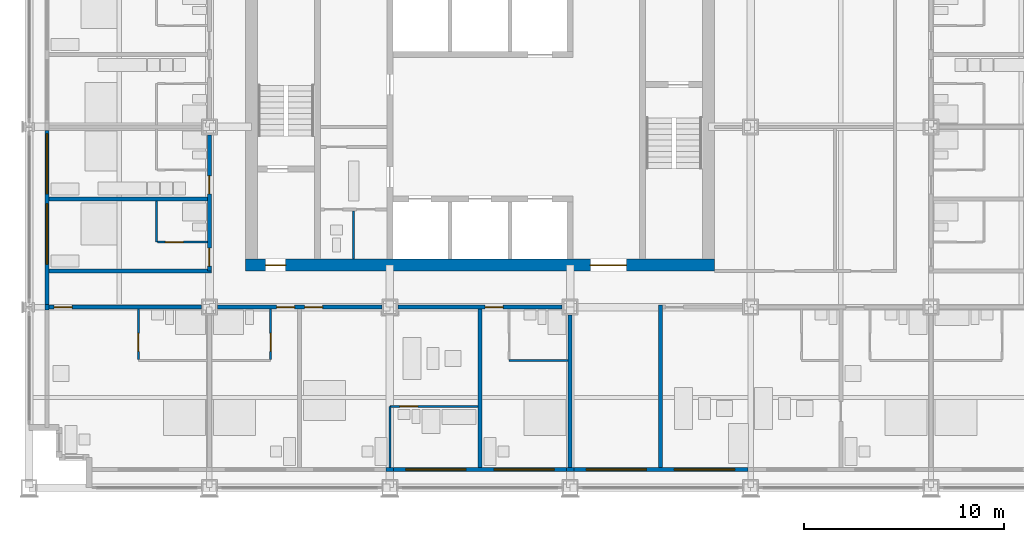
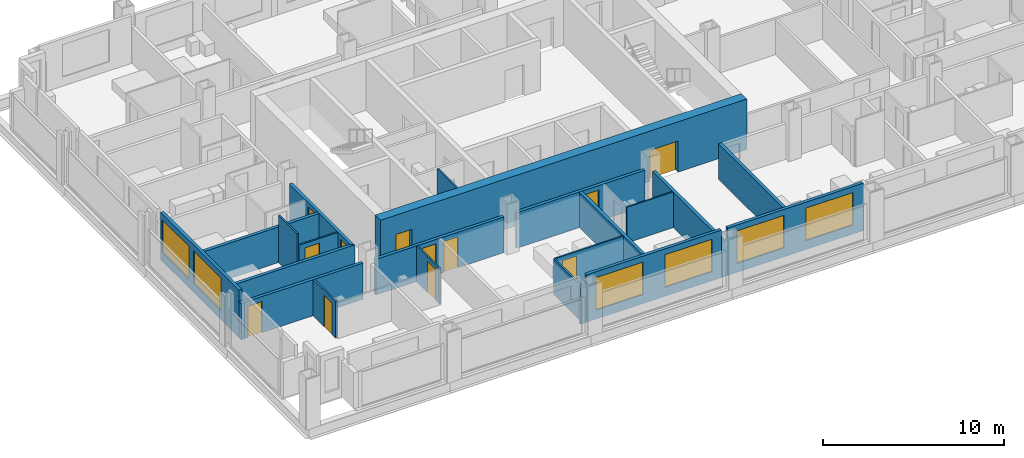
# One storey, part 10 of 18: 24 walls, 12 doors, 6 windows, 18 openings.
"""IFC4 building model written with IfcOpenShell, lengths in metres."""

from ifc_helpers import new_model, si_unit, direction, frame, frame_2d, origin, place, context, subcontext, project, spatial, rectangle, extrude, material, layer, layer_set, type_object, element, fill, save


model = new_model("IFC4")

# Units and contexts
model_context = context("Model", 3, precision=1e-05, world=origin(), true_north=direction((0.0, 1.0)))
body_context = subcontext(model_context, "Body", "Model", "MODEL_VIEW")
ifc_project = project(units=[si_unit("LENGTHUNIT", "METRE"), si_unit("AREAUNIT", "SQUARE_METRE"), si_unit("VOLUMEUNIT", "CUBIC_METRE"), si_unit("PLANEANGLEUNIT", "RADIAN"), si_unit("MASSUNIT", "GRAM", prefix="KILO")], contexts=[model_context])

# Site, building, storey
site_placement = place(None, origin())
site = spatial("IfcSite", under=ifc_project, at=site_placement, CompositionType="ELEMENT")
building_placement = place(site_placement, origin())
building = spatial("IfcBuilding", under=site, at=building_placement, Name="Loomwork Tower", CompositionType="ELEMENT")
storey_placement = place(building_placement, frame((0.0, 0.0, 58.60009765625)))
storey = spatial("IfcBuildingStorey", under=building, at=storey_placement, Name="L14", CompositionType="ELEMENT", Elevation=58.60009765625)

# Wall, openings, doors
ifc_material_1 = material(Name="Concrete 14000 psi (97 MPa)", Category="concrete")
ifc_layer_1 = layer(ifc_material_1, 0.60009765625)
ifc_layer_set_1 = layer_set([ifc_layer_1], Name="Core shear wall 600")
wall_type_1 = type_object("IfcWallType", Name="Core shear wall 600", PredefinedType="SHEAR", material=ifc_layer_set_1)
wall_1_placement = place(storey_placement, frame((10.800048828125, 11.10009765625, 0.0), z_axis=(0.0, 0.0, 1.0), x_axis=(1.0, 0.0, 0.0)))
wall_1 = element("IfcWall", 1, at=wall_1_placement, inside=storey, type_object=wall_type_1, Name="Core wall south L14", PredefinedType="SHEAR", context=body_context, shape_type="SweptSolid", body=[
    extrude(rectangle(XDim=23.39990234375, YDim=0.60009765625, at=frame_2d((11.699951171875, 0.0))), origin(), (0.0, 0.0, 1.0), 3.39990234375),
])
opening_1_placement = place(wall_1_placement, frame((1.0, 0.0, 0.0)))
opening_1 = element("IfcOpeningElement", 2, at=opening_1_placement, cuts=wall_1, Name="Opening D4", PredefinedType="OPENING", context=body_context, shape_type="SweptSolid", body=[
    extrude(rectangle(XDim=1.0, YDim=2.10009765625, at=frame_2d((0.5, 1.050048828125))), frame((0.0, 0.31005859375, 0.0), z_axis=(0.0, -1.0, 0.0), x_axis=(1.0, 0.0, 0.0)), (0.0, 0.0, 1.0), 0.6201171875),
])
opening_2_placement = place(wall_1_placement, frame((17.199951171875, 0.0, 0.0)))
opening_2 = element("IfcOpeningElement", 3, at=opening_2_placement, cuts=wall_1, Name="Opening D6", PredefinedType="OPENING", context=body_context, shape_type="SweptSolid", body=[
    extrude(rectangle(XDim=1.800048828125, YDim=2.10009765625, at=frame_2d((0.89990234375, 1.050048828125))), frame((0.0, 0.31005859375, 0.0), z_axis=(0.0, -1.0, 0.0), x_axis=(1.0, 0.0, 0.0)), (0.0, 0.0, 1.0), 0.6201171875),
])
ifc_material_2 = material(Name="Hollow metal door and frame")
door_type_1 = type_object("IfcDoorType", Name="Lobby passage double door 1800", OperationType="DOUBLE_DOOR_SINGLE_SWING", PredefinedType="DOOR", material=ifc_material_2)
door_1_placement = place(opening_2_placement, origin())
door_1 = element("IfcDoor", 4, at=door_1_placement, inside=storey, type_object=door_type_1, Name="Lobby passage door south", OperationType="DOUBLE_DOOR_SINGLE_SWING", OverallHeight=2.10009765625, OverallWidth=1.800048828125, PredefinedType="DOOR", context=body_context, shape_type="SweptSolid", body=[
    extrude(rectangle(XDim=1.800048828125, YDim=2.10009765625, at=frame_2d((0.89990234375, 1.050048828125))), frame((0.0, 0.02490234375, 0.0), z_axis=(0.0, -1.0, 0.0), x_axis=(1.0, 0.0, 0.0)), (0.0, 0.0, 1.0), 0.050048828125),
])
fill(opening_2, door_1)
ifc_material_3 = material(Name="Hollow metal door and frame")
door_type_2 = type_object("IfcDoorType", Name="Stair door 1000", OperationType="SINGLE_SWING_RIGHT", PredefinedType="DOOR", material=ifc_material_3)
door_2_placement = place(opening_1_placement, origin())
door_2 = element("IfcDoor", 5, at=door_2_placement, inside=storey, type_object=door_type_2, Name="Stair A vestibule door", OperationType="SINGLE_SWING_LEFT", OverallHeight=2.10009765625, OverallWidth=1.0, PredefinedType="DOOR", context=body_context, shape_type="SweptSolid", body=[
    extrude(rectangle(XDim=1.0, YDim=2.10009765625, at=frame_2d((0.5, 1.050048828125))), frame((0.0, 0.02490234375, 0.0), z_axis=(0.0, -1.0, 0.0), x_axis=(1.0, 0.0, 0.0)), (0.0, 0.0, 1.0), 0.050048828125),
])
fill(opening_1, door_2)

# Wall, opening, door
ifc_material_4 = material(Name="Gypsum board on steel studs, one-hour", Category="steel")
ifc_layer_2 = layer(ifc_material_4, 0.199951171875)
ifc_layer_set_2 = layer_set([ifc_layer_2], Name="Corridor wall 200")
wall_type_2 = type_object("IfcWallType", Name="Corridor wall 200", PredefinedType="PARTITIONING", material=ifc_layer_set_2)
wall_2_placement = place(storey_placement, frame((1.0, 9.0, 0.0), z_axis=(0.0, 0.0, 1.0), x_axis=(1.0, 0.0, 0.0)))
wall_2 = element("IfcWall", 6, at=wall_2_placement, inside=storey, type_object=wall_type_2, Name="South corridor wall 1", PredefinedType="PARTITIONING", context=body_context, shape_type="SweptSolid", body=[
    extrude(rectangle(XDim=7.60009765625, YDim=0.199951171875, at=frame_2d((3.800048828125, 0.0))), origin(), (0.0, 0.0, 1.0), 2.43798828125),
])
opening_3_placement = place(wall_2_placement, frame((0.25, 0.0, 0.0)))
opening_3 = element("IfcOpeningElement", 7, at=opening_3_placement, cuts=wall_2, Name="Opening D1", PredefinedType="OPENING", context=body_context, shape_type="SweptSolid", body=[
    extrude(rectangle(XDim=0.89990234375, YDim=2.10009765625, at=frame_2d((0.449951171875, 1.050048828125))), frame((0.0, 0.10986328125, 0.0), z_axis=(0.0, -1.0, 0.0), x_axis=(1.0, 0.0, 0.0)), (0.0, 0.0, 1.0), 0.219970703125),
])
ifc_material_5 = material(Name="Hollow metal door and frame")
door_type_3 = type_object("IfcDoorType", Name="Guest room entry door 900", OperationType="SINGLE_SWING_LEFT", PredefinedType="DOOR", material=ifc_material_5)
door_3_placement = place(opening_3_placement, frame((0.89990234375, 0.0, 0.0), z_axis=(0.0, 0.0, 1.0), x_axis=(-1.0, 0.0, 0.0)))
door_3 = element("IfcDoor", 8, at=door_3_placement, inside=storey, type_object=door_type_3, Name="Guest room entry door L14 1", OperationType="SINGLE_SWING_RIGHT", OverallHeight=2.10009765625, OverallWidth=0.89990234375, PredefinedType="DOOR", context=body_context, shape_type="SweptSolid", body=[
    extrude(rectangle(XDim=0.89990234375, YDim=2.10009765625, at=frame_2d((0.449951171875, 1.050048828125))), frame((0.0, 0.02490234375, 0.0), z_axis=(0.0, -1.0, 0.0), x_axis=(1.0, 0.0, 0.0)), (0.0, 0.0, 1.0), 0.050048828125),
])
fill(opening_3, door_3)

# Wall, openings, doors
wall_3_placement = place(storey_placement, frame((9.39990234375, 9.0, 0.0), z_axis=(0.0, 0.0, 1.0), x_axis=(1.0, 0.0, 0.0)))
wall_3 = element("IfcWall", 9, at=wall_3_placement, inside=storey, type_object=wall_type_2, Name="South corridor wall 2", PredefinedType="PARTITIONING", context=body_context, shape_type="SweptSolid", body=[
    extrude(rectangle(XDim=8.2001953125, YDim=0.199951171875, at=frame_2d((4.10009765625, 0.0))), origin(), (0.0, 0.0, 1.0), 2.40478515625),
])
opening_4_placement = place(wall_3_placement, frame((2.949951171875, 0.0, 0.0)))
opening_4 = element("IfcOpeningElement", 10, at=opening_4_placement, cuts=wall_3, Name="Opening D1", PredefinedType="OPENING", context=body_context, shape_type="SweptSolid", body=[
    extrude(rectangle(XDim=0.89990234375, YDim=2.10009765625, at=frame_2d((0.449951171875, 1.050048828125))), frame((0.0, 0.10986328125, 0.0), z_axis=(0.0, -1.0, 0.0), x_axis=(1.0, 0.0, 0.0)), (0.0, 0.0, 1.0), 0.219970703125),
])
opening_5_placement = place(wall_3_placement, frame((4.35009765625, 0.0, 0.0)))
opening_5 = element("IfcOpeningElement", 11, at=opening_5_placement, cuts=wall_3, Name="Opening D1", PredefinedType="OPENING", context=body_context, shape_type="SweptSolid", body=[
    extrude(rectangle(XDim=0.89990234375, YDim=2.10009765625, at=frame_2d((0.449951171875, 1.050048828125))), frame((0.0, 0.10986328125, 0.0), z_axis=(0.0, -1.0, 0.0), x_axis=(1.0, 0.0, 0.0)), (0.0, 0.0, 1.0), 0.219970703125),
])
door_4_placement = place(opening_4_placement, frame((0.89990234375, 0.0, 0.0), z_axis=(0.0, 0.0, 1.0), x_axis=(-1.0, 0.0, 0.0)))
door_4 = element("IfcDoor", 12, at=door_4_placement, inside=storey, type_object=door_type_3, Name="Guest room entry door L14 2", OperationType="SINGLE_SWING_LEFT", OverallHeight=2.10009765625, OverallWidth=0.89990234375, PredefinedType="DOOR", context=body_context, shape_type="SweptSolid", body=[
    extrude(rectangle(XDim=0.89990234375, YDim=2.10009765625, at=frame_2d((0.449951171875, 1.050048828125))), frame((0.0, 0.02490234375, 0.0), z_axis=(0.0, -1.0, 0.0), x_axis=(1.0, 0.0, 0.0)), (0.0, 0.0, 1.0), 0.050048828125),
])
fill(opening_4, door_4)
door_5_placement = place(opening_5_placement, frame((0.89990234375, 0.0, 0.0), z_axis=(0.0, 0.0, 1.0), x_axis=(-1.0, 0.0, 0.0)))
door_5 = element("IfcDoor", 13, at=door_5_placement, inside=storey, type_object=door_type_3, Name="Guest room entry door L14 3", OperationType="SINGLE_SWING_RIGHT", OverallHeight=2.10009765625, OverallWidth=0.89990234375, PredefinedType="DOOR", context=body_context, shape_type="SweptSolid", body=[
    extrude(rectangle(XDim=0.89990234375, YDim=2.10009765625, at=frame_2d((0.449951171875, 1.050048828125))), frame((0.0, 0.02490234375, 0.0), z_axis=(0.0, -1.0, 0.0), x_axis=(1.0, 0.0, 0.0)), (0.0, 0.0, 1.0), 0.050048828125),
])
fill(opening_5, door_5)

# Wall, opening, door
wall_4_placement = place(storey_placement, frame((18.39990234375, 9.0, 0.0), z_axis=(0.0, 0.0, 1.0), x_axis=(1.0, 0.0, 0.0)))
wall_4 = element("IfcWall", 14, at=wall_4_placement, inside=storey, type_object=wall_type_2, Name="South corridor wall 3", PredefinedType="PARTITIONING", context=body_context, shape_type="SweptSolid", body=[
    extrude(rectangle(XDim=8.2001953125, YDim=0.199951171875, at=frame_2d((4.10009765625, 0.0))), origin(), (0.0, 0.0, 1.0), 2.40478515625),
])
opening_6_placement = place(wall_4_placement, frame((4.35009765625, 0.0, 0.0)))
opening_6 = element("IfcOpeningElement", 15, at=opening_6_placement, cuts=wall_4, Name="Opening D1", PredefinedType="OPENING", context=body_context, shape_type="SweptSolid", body=[
    extrude(rectangle(XDim=0.89990234375, YDim=2.10009765625, at=frame_2d((0.449951171875, 1.050048828125))), frame((0.0, 0.10986328125, 0.0), z_axis=(0.0, -1.0, 0.0), x_axis=(1.0, 0.0, 0.0)), (0.0, 0.0, 1.0), 0.219970703125),
])
door_6_placement = place(opening_6_placement, frame((0.89990234375, 0.0, 0.0), z_axis=(0.0, 0.0, 1.0), x_axis=(-1.0, 0.0, 0.0)))
door_6 = element("IfcDoor", 16, at=door_6_placement, inside=storey, type_object=door_type_3, Name="Guest room entry door L14 4", OperationType="SINGLE_SWING_RIGHT", OverallHeight=2.10009765625, OverallWidth=0.89990234375, PredefinedType="DOOR", context=body_context, shape_type="SweptSolid", body=[
    extrude(rectangle(XDim=0.89990234375, YDim=2.10009765625, at=frame_2d((0.449951171875, 1.050048828125))), frame((0.0, 0.02490234375, 0.0), z_axis=(0.0, -1.0, 0.0), x_axis=(1.0, 0.0, 0.0)), (0.0, 0.0, 1.0), 0.050048828125),
])
fill(opening_6, door_6)

# Wall, openings, doors
wall_5_placement = place(storey_placement, frame((9.0, 10.800048828125, 0.0), z_axis=(0.0, 0.0, 1.0), x_axis=(0.0, 1.0, 0.0)))
wall_5 = element("IfcWall", 17, at=wall_5_placement, inside=storey, type_object=wall_type_2, Name="West corridor wall 1", PredefinedType="PARTITIONING", context=body_context, shape_type="SweptSolid", body=[
    extrude(rectangle(XDim=6.800048828125, YDim=0.199951171875, at=frame_2d((3.39990234375, 0.0))), origin(), (0.0, 0.0, 1.0), 2.40478515625),
])
opening_7_placement = place(wall_5_placement, frame((0.25, 0.0, 0.0)))
opening_7 = element("IfcOpeningElement", 18, at=opening_7_placement, cuts=wall_5, Name="Opening D1", PredefinedType="OPENING", context=body_context, shape_type="SweptSolid", body=[
    extrude(rectangle(XDim=0.89990234375, YDim=2.10009765625, at=frame_2d((0.449951171875, 1.050048828125))), frame((0.0, 0.10986328125, 0.0), z_axis=(0.0, -1.0, 0.0), x_axis=(1.0, 0.0, 0.0)), (0.0, 0.0, 1.0), 0.219970703125),
])
opening_8_placement = place(wall_5_placement, frame((3.85009765625, 0.0, 0.0)))
opening_8 = element("IfcOpeningElement", 19, at=opening_8_placement, cuts=wall_5, Name="Opening D1", PredefinedType="OPENING", context=body_context, shape_type="SweptSolid", body=[
    extrude(rectangle(XDim=0.89990234375, YDim=2.10009765625, at=frame_2d((0.449951171875, 1.050048828125))), frame((0.0, 0.10986328125, 0.0), z_axis=(0.0, -1.0, 0.0), x_axis=(1.0, 0.0, 0.0)), (0.0, 0.0, 1.0), 0.219970703125),
])
door_7_placement = place(opening_7_placement, origin())
door_7 = element("IfcDoor", 20, at=door_7_placement, inside=storey, type_object=door_type_3, Name="Guest room entry door L14 15", OperationType="SINGLE_SWING_LEFT", OverallHeight=2.10009765625, OverallWidth=0.89990234375, PredefinedType="DOOR", context=body_context, shape_type="SweptSolid", body=[
    extrude(rectangle(XDim=0.89990234375, YDim=2.10009765625, at=frame_2d((0.449951171875, 1.050048828125))), frame((0.0, 0.02490234375, 0.0), z_axis=(0.0, -1.0, 0.0), x_axis=(1.0, 0.0, 0.0)), (0.0, 0.0, 1.0), 0.050048828125),
])
fill(opening_7, door_7)
door_8_placement = place(opening_8_placement, origin())
door_8 = element("IfcDoor", 21, at=door_8_placement, inside=storey, type_object=door_type_3, Name="Guest room entry door L14 16", OperationType="SINGLE_SWING_LEFT", OverallHeight=2.10009765625, OverallWidth=0.89990234375, PredefinedType="DOOR", context=body_context, shape_type="SweptSolid", body=[
    extrude(rectangle(XDim=0.89990234375, YDim=2.10009765625, at=frame_2d((0.449951171875, 1.050048828125))), frame((0.0, 0.02490234375, 0.0), z_axis=(0.0, -1.0, 0.0), x_axis=(1.0, 0.0, 0.0)), (0.0, 0.0, 1.0), 0.050048828125),
])
fill(opening_8, door_8)

# Wall
wall_6_placement = place(storey_placement, frame((1.0, 10.800048828125, 0.0), z_axis=(0.0, 0.0, 1.0), x_axis=(1.0, 0.0, 0.0)))
element("IfcWall", 22, at=wall_6_placement, inside=storey, type_object=wall_type_2, Name="West band end wall S", PredefinedType="PARTITIONING", context=body_context, shape_type="SweptSolid", body=[
    extrude(rectangle(XDim=8.10009765625, YDim=0.199951171875, at=frame_2d((4.050048828125, 0.0))), origin(), (0.0, 0.0, 1.0), 2.40380859375),
])

# Wall, opening, door
ifc_material_6 = material(Name="Cement board on steel studs", Category="steel")
ifc_layer_3 = layer(ifc_material_6, 0.10009765625)
ifc_layer_set_3 = layer_set([ifc_layer_3], Name="En-suite partition 100")
wall_type_3 = type_object("IfcWallType", Name="En-suite partition 100", PredefinedType="PARTITIONING", material=ifc_layer_set_3)
wall_7_placement = place(storey_placement, frame((5.449951171875, 8.89990234375, 0.0), z_axis=(0.0, 0.0, 1.0), x_axis=(0.0, -1.0, 0.0)))
wall_7 = element("IfcWall", 23, at=wall_7_placement, inside=storey, type_object=wall_type_3, Name="En-suite side wall L14 room 1", PredefinedType="PARTITIONING", context=body_context, shape_type="SweptSolid", body=[
    extrude(rectangle(XDim=2.5, YDim=0.10009765625, at=frame_2d((1.25, 0.0))), origin(), (0.0, 0.0, 1.0), 2.43798828125),
])
opening_9_placement = place(wall_7_placement, frame((1.199951171875, 0.0, 0.0)))
opening_9 = element("IfcOpeningElement", 24, at=opening_9_placement, cuts=wall_7, Name="Opening D3", PredefinedType="OPENING", context=body_context, shape_type="SweptSolid", body=[
    extrude(rectangle(XDim=0.89990234375, YDim=2.10009765625, at=frame_2d((0.449951171875, 1.050048828125))), frame((0.0, 0.06005859375, 0.0), z_axis=(0.0, -1.0, 0.0), x_axis=(1.0, 0.0, 0.0)), (0.0, 0.0, 1.0), 0.1201171875),
])
ifc_material_7 = material(Name="Hollow metal door and frame")
door_type_4 = type_object("IfcDoorType", Name="Accessible en-suite door 900", OperationType="SLIDING_TO_LEFT", PredefinedType="DOOR", material=ifc_material_7)
door_9_placement = place(opening_9_placement, origin())
door_9 = element("IfcDoor", 25, at=door_9_placement, inside=storey, type_object=door_type_4, Name="Accessible en-suite door room 1", OperationType="SLIDING_TO_LEFT", OverallHeight=2.10009765625, OverallWidth=0.89990234375, PredefinedType="DOOR", context=body_context, shape_type="SweptSolid", body=[
    extrude(rectangle(XDim=0.89990234375, YDim=2.10009765625, at=frame_2d((0.449951171875, 1.050048828125))), frame((0.0, 0.02490234375, 0.0), z_axis=(0.0, -1.0, 0.0), x_axis=(1.0, 0.0, 0.0)), (0.0, 0.0, 1.0), 0.050048828125),
])
fill(opening_9, door_9)

wall_8_placement = place(storey_placement, frame((12.050048828125, 8.89990234375, 0.0), z_axis=(0.0, 0.0, 1.0), x_axis=(0.0, -1.0, 0.0)))
wall_8 = element("IfcWall", 26, at=wall_8_placement, inside=storey, type_object=wall_type_3, Name="En-suite side wall L14 room 2", PredefinedType="PARTITIONING", context=body_context, shape_type="SweptSolid", body=[
    extrude(rectangle(XDim=2.5, YDim=0.10009765625, at=frame_2d((1.25, 0.0))), origin(), (0.0, 0.0, 1.0), 2.40380859375),
])
opening_10_placement = place(wall_8_placement, frame((1.199951171875, 0.0, 0.0)))
opening_10 = element("IfcOpeningElement", 27, at=opening_10_placement, cuts=wall_8, Name="Opening D3", PredefinedType="OPENING", context=body_context, shape_type="SweptSolid", body=[
    extrude(rectangle(XDim=0.89990234375, YDim=2.10009765625, at=frame_2d((0.449951171875, 1.050048828125))), frame((0.0, 0.06005859375, 0.0), z_axis=(0.0, -1.0, 0.0), x_axis=(1.0, 0.0, 0.0)), (0.0, 0.0, 1.0), 0.1201171875),
])
door_10_placement = place(opening_10_placement, origin())
door_10 = element("IfcDoor", 28, at=door_10_placement, inside=storey, type_object=door_type_4, Name="Accessible en-suite door room 2", OperationType="SLIDING_TO_LEFT", OverallHeight=2.10009765625, OverallWidth=0.89990234375, PredefinedType="DOOR", context=body_context, shape_type="SweptSolid", body=[
    extrude(rectangle(XDim=0.89990234375, YDim=2.10009765625, at=frame_2d((0.449951171875, 1.050048828125))), frame((0.0, 0.02490234375, 0.0), z_axis=(0.0, -1.0, 0.0), x_axis=(1.0, 0.0, 0.0)), (0.0, 0.0, 1.0), 0.050048828125),
])
fill(opening_10, door_10)

wall_9_placement = place(storey_placement, frame((18.0, 4.050048828125, 0.0), z_axis=(0.0, 0.0, 1.0), x_axis=(1.0, 0.0, 0.0)))
wall_9 = element("IfcWall", 29, at=wall_9_placement, inside=storey, type_object=wall_type_3, Name="Spa bathroom wall L14 room 3", PredefinedType="PARTITIONING", context=body_context, shape_type="SweptSolid", body=[
    extrude(rectangle(XDim=4.39990234375, YDim=0.10009765625, at=frame_2d((2.199951171875, 0.0))), origin(), (0.0, 0.0, 1.0), 2.40380859375),
])
opening_11_placement = place(wall_9_placement, frame((0.5, 0.0, 0.0)))
opening_11 = element("IfcOpeningElement", 30, at=opening_11_placement, cuts=wall_9, Name="Opening D2", PredefinedType="OPENING", context=body_context, shape_type="SweptSolid", body=[
    extrude(rectangle(XDim=0.89990234375, YDim=2.10009765625, at=frame_2d((0.449951171875, 1.050048828125))), frame((0.0, 0.06005859375, 0.0), z_axis=(0.0, -1.0, 0.0), x_axis=(1.0, 0.0, 0.0)), (0.0, 0.0, 1.0), 0.1201171875),
])
ifc_material_8 = material(Name="Hollow metal door and frame")
door_type_5 = type_object("IfcDoorType", Name="En-suite door 900", OperationType="SINGLE_SWING_LEFT", PredefinedType="DOOR", material=ifc_material_8)
door_11_placement = place(opening_11_placement, frame((0.89990234375, 0.0, 0.0), z_axis=(0.0, 0.0, 1.0), x_axis=(-1.0, 0.0, 0.0)))
door_11 = element("IfcDoor", 31, at=door_11_placement, inside=storey, type_object=door_type_5, Name="Spa bathroom door room 3", OperationType="SINGLE_SWING_RIGHT", OverallHeight=2.10009765625, OverallWidth=0.89990234375, PredefinedType="DOOR", context=body_context, shape_type="SweptSolid", body=[
    extrude(rectangle(XDim=0.89990234375, YDim=2.10009765625, at=frame_2d((0.449951171875, 1.050048828125))), frame((0.0, 0.02490234375, 0.0), z_axis=(0.0, -1.0, 0.0), x_axis=(1.0, 0.0, 0.0)), (0.0, 0.0, 1.0), 0.050048828125),
])
fill(opening_11, door_11)

# Walls
wall_10_placement = place(storey_placement, frame((18.0, 4.050048828125, 0.0), z_axis=(0.0, 0.0, 1.0), x_axis=(0.0, -1.0, 0.0)))
element("IfcWall", 32, at=wall_10_placement, inside=storey, type_object=wall_type_3, Name="Spa bathroom side wall L14 room 3", PredefinedType="PARTITIONING", context=body_context, shape_type="SweptSolid", body=[
    extrude(rectangle(XDim=3.050048828125, YDim=0.10009765625, at=frame_2d((1.52490234375, 0.0))), origin(), (0.0, 0.0, 1.0), 2.40478515625),
])
wall_11_placement = place(storey_placement, frame((23.949951171875, 6.35009765625, 0.0), z_axis=(0.0, 0.0, 1.0), x_axis=(1.0, 0.0, 0.0)))
element("IfcWall", 33, at=wall_11_placement, inside=storey, type_object=wall_type_3, Name="En-suite wall L14 room 4", PredefinedType="PARTITIONING", context=body_context, shape_type="SweptSolid", body=[
    extrude(rectangle(XDim=2.949951171875, YDim=0.10009765625, at=frame_2d((1.47509765625, 0.0))), origin(), (0.0, 0.0, 1.0), 2.40380859375),
])
wall_12_placement = place(storey_placement, frame((6.35009765625, 12.25, 0.0), z_axis=(0.0, 0.0, 1.0), x_axis=(0.0, 1.0, 0.0)))
element("IfcWall", 34, at=wall_12_placement, inside=storey, type_object=wall_type_3, Name="En-suite wall L14 room 15", PredefinedType="PARTITIONING", context=body_context, shape_type="SweptSolid", body=[
    extrude(rectangle(XDim=2.050048828125, YDim=0.10009765625, at=frame_2d((1.02490234375, 0.0))), origin(), (0.0, 0.0, 1.0), 3.199951171875),
])

# Wall, opening, door
wall_13_placement = place(storey_placement, frame((8.89990234375, 12.25, 0.0), z_axis=(0.0, 0.0, 1.0), x_axis=(-1.0, 0.0, 0.0)))
wall_13 = element("IfcWall", 35, at=wall_13_placement, inside=storey, type_object=wall_type_3, Name="En-suite side wall L14 room 15", PredefinedType="PARTITIONING", context=body_context, shape_type="SweptSolid", body=[
    extrude(rectangle(XDim=2.5, YDim=0.10009765625, at=frame_2d((1.25, 0.0))), origin(), (0.0, 0.0, 1.0), 2.40380859375),
])
opening_12_placement = place(wall_13_placement, frame((1.199951171875, 0.0, 0.0)))
opening_12 = element("IfcOpeningElement", 36, at=opening_12_placement, cuts=wall_13, Name="Opening D2", PredefinedType="OPENING", context=body_context, shape_type="SweptSolid", body=[
    extrude(rectangle(XDim=0.89990234375, YDim=2.10009765625, at=frame_2d((0.449951171875, 1.050048828125))), frame((0.0, 0.06005859375, 0.0), z_axis=(0.0, -1.0, 0.0), x_axis=(1.0, 0.0, 0.0)), (0.0, 0.0, 1.0), 0.1201171875),
])
door_12_placement = place(opening_12_placement, frame((0.89990234375, 0.0, 0.0), z_axis=(0.0, 0.0, 1.0), x_axis=(-1.0, 0.0, 0.0)))
door_12 = element("IfcDoor", 37, at=door_12_placement, inside=storey, type_object=door_type_5, Name="En-suite door room 15", OperationType="SINGLE_SWING_LEFT", OverallHeight=2.10009765625, OverallWidth=0.89990234375, PredefinedType="DOOR", context=body_context, shape_type="SweptSolid", body=[
    extrude(rectangle(XDim=0.89990234375, YDim=2.10009765625, at=frame_2d((0.449951171875, 1.050048828125))), frame((0.0, 0.02490234375, 0.0), z_axis=(0.0, -1.0, 0.0), x_axis=(1.0, 0.0, 0.0)), (0.0, 0.0, 1.0), 0.050048828125),
])
fill(opening_12, door_12)

# Walls
wall_14_placement = place(storey_placement, frame((16.199951171875, 11.39990234375, 0.0), z_axis=(0.0, 0.0, 1.0), x_axis=(0.0, 1.0, 0.0)))
element("IfcWall", 38, at=wall_14_placement, inside=storey, type_object=wall_type_3, Name="Back-of-house partition L14 2", PredefinedType="PARTITIONING", context=body_context, shape_type="SweptSolid", body=[
    extrude(rectangle(XDim=2.400146484375, YDim=0.10009765625, at=frame_2d((1.2001953125, 0.0))), origin(), (0.0, 0.0, 1.0), 3.199951171875),
])
ifc_material_9 = material(Name="Gypsum board on steel studs, acoustic", Category="steel")
ifc_layer_4 = layer(ifc_material_9, 0.199951171875)
ifc_layer_set_4 = layer_set([ifc_layer_4], Name="Guest room party wall 200")
wall_type_4 = type_object("IfcWallType", Name="Guest room party wall 200", PredefinedType="PARTITIONING", material=ifc_layer_set_4)
wall_15_placement = place(storey_placement, frame((22.5, 8.89990234375, 0.0), z_axis=(0.0, 0.0, 1.0), x_axis=(0.0, -1.0, 0.0)))
element("IfcWall", 39, at=wall_15_placement, inside=storey, type_object=wall_type_4, Name="Guest room party wall S 22.5", PredefinedType="PARTITIONING", context=body_context, shape_type="SweptSolid", body=[
    extrude(rectangle(XDim=7.89990234375, YDim=0.199951171875, at=frame_2d((3.949951171875, 0.0))), origin(), (0.0, 0.0, 1.0), 2.40380859375),
])
wall_16_placement = place(storey_placement, frame((27.0, 8.60009765625, 0.0), z_axis=(0.0, 0.0, 1.0), x_axis=(0.0, -1.0, 0.0)))
element("IfcWall", 40, at=wall_16_placement, inside=storey, type_object=wall_type_4, Name="Guest room party wall S 27", PredefinedType="PARTITIONING", context=body_context, shape_type="SweptSolid", body=[
    extrude(rectangle(XDim=7.60009765625, YDim=0.199951171875, at=frame_2d((3.800048828125, 0.0))), origin(), (0.0, 0.0, 1.0), 2.40478515625),
])
wall_17_placement = place(storey_placement, frame((31.5, 9.10009765625, 0.0), z_axis=(0.0, 0.0, 1.0), x_axis=(0.0, -1.0, 0.0)))
element("IfcWall", 41, at=wall_17_placement, inside=storey, type_object=wall_type_4, Name="Guest room party wall S 31.5", PredefinedType="PARTITIONING", context=body_context, shape_type="SweptSolid", body=[
    extrude(rectangle(XDim=8.10009765625, YDim=0.199951171875, at=frame_2d((4.050048828125, 0.0))), origin(), (0.0, 0.0, 1.0), 2.40380859375),
])
wall_18_placement = place(storey_placement, frame((8.89990234375, 14.39990234375, 0.0), z_axis=(0.0, 0.0, 1.0), x_axis=(-1.0, 0.0, 0.0)))
element("IfcWall", 42, at=wall_18_placement, inside=storey, type_object=wall_type_4, Name="Guest room party wall W 14.4", PredefinedType="PARTITIONING", context=body_context, shape_type="SweptSolid", body=[
    extrude(rectangle(XDim=7.89990234375, YDim=0.199951171875, at=frame_2d((3.949951171875, 0.0))), origin(), (0.0, 0.0, 1.0), 2.40380859375),
])
ifc_material_10 = material(Name="Insulated steel stud wall with gypsum lining", Category="steel")
ifc_layer_5 = layer(ifc_material_10, 0.199951171875)
ifc_layer_set_5 = layer_set([ifc_layer_5], Name="Inner skin wall 200")
wall_type_5 = type_object("IfcWallType", Name="Inner skin wall 200", PredefinedType="SOLIDWALL", material=ifc_layer_set_5)
wall_19_placement = place(storey_placement, frame((17.80615234375, 0.89990234375, 0.0), z_axis=(0.0, 0.0, 1.0), x_axis=(1.0, 0.0, 0.0)))
element("IfcWall", 43, at=wall_19_placement, inside=storey, type_object=wall_type_5, Name="Inner skin wall S bay 4", PredefinedType="SOLIDWALL", context=body_context, shape_type="SweptSolid", body=[
    extrude(rectangle(XDim=0.3876953125, YDim=0.199951171875, at=frame_2d((0.19384765625, 0.0))), origin(), (0.0, 0.0, 1.0), 2.40380859375),
])

# Wall, openings, windows
wall_20_placement = place(storey_placement, frame((18.19384765625, 0.89990234375, 0.0), z_axis=(0.0, 0.0, 1.0), x_axis=(1.0, 0.0, 0.0)))
wall_20 = element("IfcWall", 44, at=wall_20_placement, inside=storey, type_object=wall_type_5, Name="Inner skin wall S bay 5", PredefinedType="SOLIDWALL", context=body_context, shape_type="SweptSolid", body=[
    extrude(rectangle(XDim=8.6123046875, YDim=0.199951171875, at=frame_2d((4.30615234375, 0.0))), origin(), (0.0, 0.0, 1.0), 3.199951171875),
])
opening_13_placement = place(wall_20_placement, frame((0.606201171875, 0.0, 0.60009765625)))
opening_13 = element("IfcOpeningElement", 45, at=opening_13_placement, cuts=wall_20, Name="Opening CH1", PredefinedType="OPENING", context=body_context, shape_type="SweptSolid", body=[
    extrude(rectangle(XDim=3.0, YDim=2.199951171875, at=frame_2d((1.5, 1.10009765625))), frame((0.0, 0.10986328125, 0.0), z_axis=(0.0, -1.0, 0.0), x_axis=(1.0, 0.0, 0.0)), (0.0, 0.0, 1.0), 0.219970703125),
])
opening_14_placement = place(wall_20_placement, frame((5.006103515625, 0.0, 0.60009765625)))
opening_14 = element("IfcOpeningElement", 46, at=opening_14_placement, cuts=wall_20, Name="Opening CH1", PredefinedType="OPENING", context=body_context, shape_type="SweptSolid", body=[
    extrude(rectangle(XDim=3.0, YDim=2.199951171875, at=frame_2d((1.5, 1.10009765625))), frame((0.0, 0.10986328125, 0.0), z_axis=(0.0, -1.0, 0.0), x_axis=(1.0, 0.0, 0.0)), (0.0, 0.0, 1.0), 0.219970703125),
])
ifc_material_11 = material(Name="Aluminium frame with clear insulated glass", Category="aluminium")
window_type = type_object("IfcWindowType", Name="Chicago window 3000", PartitioningType="TRIPLE_PANEL_VERTICAL", PredefinedType="WINDOW", material=ifc_material_11)
window_1_placement = place(opening_13_placement, origin())
window_1 = element("IfcWindow", 47, at=window_1_placement, inside=storey, type_object=window_type, Name="Chicago window L14 bay 3", OverallHeight=2.199951171875, OverallWidth=3.0, PartitioningType="TRIPLE_PANEL_VERTICAL", PredefinedType="WINDOW", context=body_context, shape_type="SweptSolid", body=[
    extrude(rectangle(XDim=3.0, YDim=2.199951171875, at=frame_2d((1.5, 1.10009765625))), frame((0.0, 0.030029296875, 0.0), z_axis=(0.0, -1.0, 0.0), x_axis=(1.0, 0.0, 0.0)), (0.0, 0.0, 1.0), 0.06005859375),
])
fill(opening_13, window_1)
window_2_placement = place(opening_14_placement, origin())
window_2 = element("IfcWindow", 48, at=window_2_placement, inside=storey, type_object=window_type, Name="Chicago window L14 bay 3", OverallHeight=2.199951171875, OverallWidth=3.0, PartitioningType="TRIPLE_PANEL_VERTICAL", PredefinedType="WINDOW", context=body_context, shape_type="SweptSolid", body=[
    extrude(rectangle(XDim=3.0, YDim=2.199951171875, at=frame_2d((1.5, 1.10009765625))), frame((0.0, 0.030029296875, 0.0), z_axis=(0.0, -1.0, 0.0), x_axis=(1.0, 0.0, 0.0)), (0.0, 0.0, 1.0), 0.06005859375),
])
fill(opening_14, window_2)

# Wall
wall_21_placement = place(storey_placement, frame((26.80615234375, 0.89990234375, 0.0), z_axis=(0.0, 0.0, 1.0), x_axis=(1.0, 0.0, 0.0)))
element("IfcWall", 49, at=wall_21_placement, inside=storey, type_object=wall_type_5, Name="Inner skin wall S bay 6", PredefinedType="SOLIDWALL", context=body_context, shape_type="SweptSolid", body=[
    extrude(rectangle(XDim=0.3876953125, YDim=0.199951171875, at=frame_2d((0.19384765625, 0.0))), origin(), (0.0, 0.0, 1.0), 2.40380859375),
])

# Wall, openings, windows
wall_22_placement = place(storey_placement, frame((27.19384765625, 0.89990234375, 0.0), z_axis=(0.0, 0.0, 1.0), x_axis=(1.0, 0.0, 0.0)))
wall_22 = element("IfcWall", 50, at=wall_22_placement, inside=storey, type_object=wall_type_5, Name="Inner skin wall S bay 7", PredefinedType="SOLIDWALL", context=body_context, shape_type="SweptSolid", body=[
    extrude(rectangle(XDim=8.670654296875, YDim=0.199951171875, at=frame_2d((4.33544921875, 0.0))), origin(), (0.0, 0.0, 1.0), 3.199951171875),
])
opening_15_placement = place(wall_22_placement, frame((0.606201171875, 0.0, 0.60009765625)))
opening_15 = element("IfcOpeningElement", 51, at=opening_15_placement, cuts=wall_22, Name="Opening CH1", PredefinedType="OPENING", context=body_context, shape_type="SweptSolid", body=[
    extrude(rectangle(XDim=3.0, YDim=2.199951171875, at=frame_2d((1.5, 1.10009765625))), frame((0.0, 0.10986328125, 0.0), z_axis=(0.0, -1.0, 0.0), x_axis=(1.0, 0.0, 0.0)), (0.0, 0.0, 1.0), 0.219970703125),
])
opening_16_placement = place(wall_22_placement, frame((5.006103515625, 0.0, 0.60009765625)))
opening_16 = element("IfcOpeningElement", 52, at=opening_16_placement, cuts=wall_22, Name="Opening CH1", PredefinedType="OPENING", context=body_context, shape_type="SweptSolid", body=[
    extrude(rectangle(XDim=3.0, YDim=2.199951171875, at=frame_2d((1.5, 1.10009765625))), frame((0.0, 0.10986328125, 0.0), z_axis=(0.0, -1.0, 0.0), x_axis=(1.0, 0.0, 0.0)), (0.0, 0.0, 1.0), 0.219970703125),
])
window_3_placement = place(opening_15_placement, origin())
window_3 = element("IfcWindow", 53, at=window_3_placement, inside=storey, type_object=window_type, Name="Chicago window L14 bay 4", OverallHeight=2.199951171875, OverallWidth=3.0, PartitioningType="TRIPLE_PANEL_VERTICAL", PredefinedType="WINDOW", context=body_context, shape_type="SweptSolid", body=[
    extrude(rectangle(XDim=3.0, YDim=2.199951171875, at=frame_2d((1.5, 1.10009765625))), frame((0.0, 0.030029296875, 0.0), z_axis=(0.0, -1.0, 0.0), x_axis=(1.0, 0.0, 0.0)), (0.0, 0.0, 1.0), 0.06005859375),
])
fill(opening_15, window_3)
window_4_placement = place(opening_16_placement, origin())
window_4 = element("IfcWindow", 54, at=window_4_placement, inside=storey, type_object=window_type, Name="Chicago window L14 bay 4", OverallHeight=2.199951171875, OverallWidth=3.0, PartitioningType="TRIPLE_PANEL_VERTICAL", PredefinedType="WINDOW", context=body_context, shape_type="SweptSolid", body=[
    extrude(rectangle(XDim=3.0, YDim=2.199951171875, at=frame_2d((1.5, 1.10009765625))), frame((0.0, 0.030029296875, 0.0), z_axis=(0.0, -1.0, 0.0), x_axis=(1.0, 0.0, 0.0)), (0.0, 0.0, 1.0), 0.06005859375),
])
fill(opening_16, window_4)

# Wall
wall_23_placement = place(storey_placement, frame((0.89990234375, 8.86474609375, 0.0), z_axis=(0.0, 0.0, 1.0), x_axis=(0.0, 1.0, 0.0)))
element("IfcWall", 55, at=wall_23_placement, inside=storey, type_object=wall_type_5, Name="Inner skin wall W bay 4", PredefinedType="SOLIDWALL", context=body_context, shape_type="SweptSolid", body=[
    extrude(rectangle(XDim=0.2705078125, YDim=0.199951171875, at=frame_2d((0.13525390625, 0.0))), origin(), (0.0, 0.0, 1.0), 2.43798828125),
])

# Wall, openings, windows
wall_24_placement = place(storey_placement, frame((0.89990234375, 9.13525390625, 0.0), z_axis=(0.0, 0.0, 1.0), x_axis=(0.0, 1.0, 0.0)))
wall_24 = element("IfcWall", 56, at=wall_24_placement, inside=storey, type_object=wall_type_5, Name="Inner skin wall W bay 5", PredefinedType="SOLIDWALL", context=body_context, shape_type="SweptSolid", body=[
    extrude(rectangle(XDim=8.6708984375, YDim=0.199951171875, at=frame_2d((4.33544921875, 0.0))), origin(), (0.0, 0.0, 1.0), 3.199951171875),
])
opening_17_placement = place(wall_24_placement, frame((2.0146484375, 0.0, 0.60009765625)))
opening_17 = element("IfcOpeningElement", 57, at=opening_17_placement, cuts=wall_24, Name="Opening CH1", PredefinedType="OPENING", context=body_context, shape_type="SweptSolid", body=[
    extrude(rectangle(XDim=3.0, YDim=2.199951171875, at=frame_2d((1.5, 1.10009765625))), frame((0.0, 0.10986328125, 0.0), z_axis=(0.0, -1.0, 0.0), x_axis=(1.0, 0.0, 0.0)), (0.0, 0.0, 1.0), 0.219970703125),
])
opening_18_placement = place(wall_24_placement, frame((5.5146484375, 0.0, 0.60009765625)))
opening_18 = element("IfcOpeningElement", 58, at=opening_18_placement, cuts=wall_24, Name="Opening CH1", PredefinedType="OPENING", context=body_context, shape_type="SweptSolid", body=[
    extrude(rectangle(XDim=3.0, YDim=2.199951171875, at=frame_2d((1.5, 1.10009765625))), frame((0.0, 0.10986328125, 0.0), z_axis=(0.0, -1.0, 0.0), x_axis=(1.0, 0.0, 0.0)), (0.0, 0.0, 1.0), 0.219970703125),
])
window_5_placement = place(opening_17_placement, origin())
window_5 = element("IfcWindow", 59, at=window_5_placement, inside=storey, type_object=window_type, Name="Chicago window L14 bay 13", OverallHeight=2.199951171875, OverallWidth=3.0, PartitioningType="TRIPLE_PANEL_VERTICAL", PredefinedType="WINDOW", context=body_context, shape_type="SweptSolid", body=[
    extrude(rectangle(XDim=3.0, YDim=2.199951171875, at=frame_2d((1.5, 1.10009765625))), frame((0.0, 0.030029296875, 0.0), z_axis=(0.0, -1.0, 0.0), x_axis=(1.0, 0.0, 0.0)), (0.0, 0.0, 1.0), 0.06005859375),
])
fill(opening_17, window_5)
window_6_placement = place(opening_18_placement, origin())
window_6 = element("IfcWindow", 60, at=window_6_placement, inside=storey, type_object=window_type, Name="Chicago window L14 bay 13", OverallHeight=2.199951171875, OverallWidth=3.0, PartitioningType="TRIPLE_PANEL_VERTICAL", PredefinedType="WINDOW", context=body_context, shape_type="SweptSolid", body=[
    extrude(rectangle(XDim=3.0, YDim=2.199951171875, at=frame_2d((1.5, 1.10009765625))), frame((0.0, 0.030029296875, 0.0), z_axis=(0.0, -1.0, 0.0), x_axis=(1.0, 0.0, 0.0)), (0.0, 0.0, 1.0), 0.06005859375),
])
fill(opening_18, window_6)

save(model, "model.ifc")
